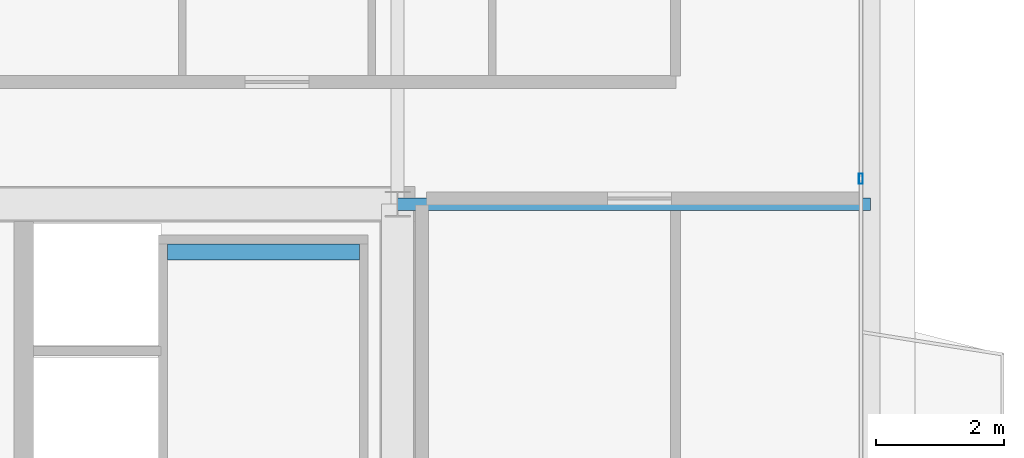
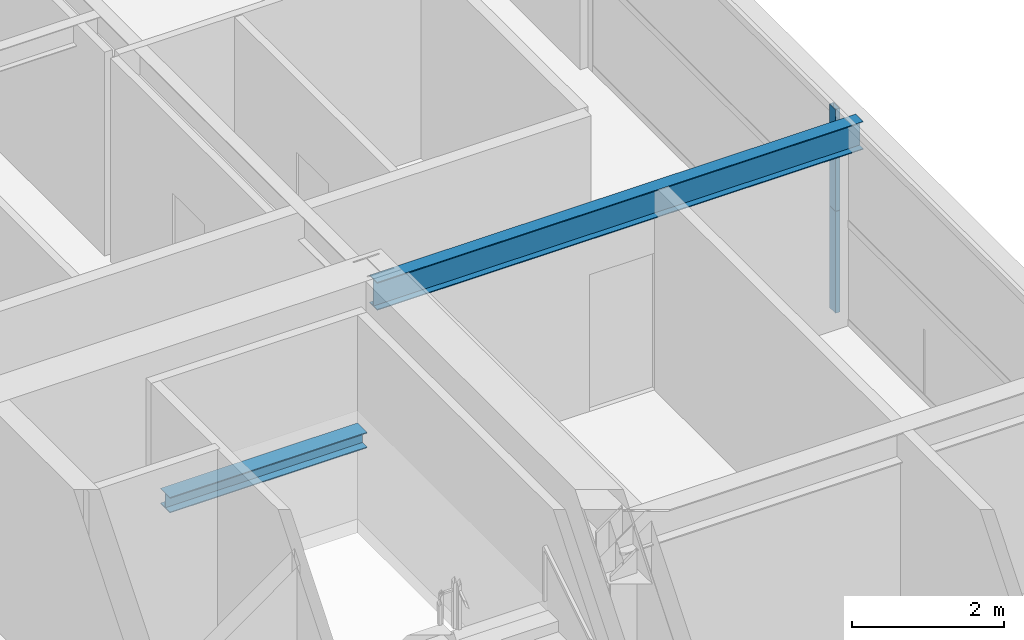
# One storey, part 18 of 35: 2 beams, 2 members, 1 element without a shape of its own.
"""IFC4 building model written with IfcOpenShell, lengths in metres."""

import ifcopenshell
import ifcopenshell.guid

model = None  # the IFC model being written
_history = None  # IfcOwnerHistory: only IFC2X3 demands one
_inside = {}  # id of a spatial element -> (the spatial element, [elements in it])
_under = {}  # id of a project, library or spatial element -> (it, [spatial elements below it])
_declared = {}  # id of a project -> (the project, [libraries it declares])
_typed = {}  # id of a type object -> (the type object, [elements of that type])
_made_of = {}  # id of a material, layer set ... -> (it, [elements and type objects made of it])


def new_model(schema):
    """Start an empty IFC model of exactly this schema.

    Asked for "IFC4X3", IfcOpenShell would pick the latest addendum, in which some entities
    have other attributes; the version numbers below select the first issue.
    IFC2X3 requires an IfcOwnerHistory on every rooted entity: one is made here for all.
    """
    global model, _history
    if schema == "IFC4X3":
        model = ifcopenshell.file(schema_version=(4, 3, 0, 0))
    else:
        model = ifcopenshell.file(schema=schema)
    _inside.clear()
    _under.clear()
    _declared.clear()
    _typed.clear()
    _made_of.clear()
    _history = None
    if model.schema == "IFC2X3":
        org = make("IfcOrganization", Name="unknown")
        user = make(
            "IfcPersonAndOrganization",
            ThePerson=make("IfcPerson", FamilyName="unknown"),
            TheOrganization=org,
        )
        app = make(
            "IfcApplication",
            ApplicationDeveloper=org,
            Version="unknown",
            ApplicationFullName="unknown",
            ApplicationIdentifier="unknown",
        )
        _history = make(
            "IfcOwnerHistory",
            OwningUser=user,
            OwningApplication=app,
            ChangeAction="ADDED",
            CreationDate=0,
        )
    return model


def make(cls, **values):
    """One entity of the class cls with the attributes given. An attribute that is None is left unset."""
    return model.create_entity(
        cls, **{name: value for name, value in values.items() if value is not None}
    )


def rooted(cls, **values):
    """An entity with a GlobalId (a new one), such as an element, a storey or a relation."""
    return make(cls, GlobalId=ifcopenshell.guid.new(), OwnerHistory=_history, **values)


def si_unit(unit_type, name, prefix=None):
    """IfcSIUnit, for example si_unit("LENGTHUNIT", "METRE", prefix="MILLI")."""
    return make("IfcSIUnit", UnitType=unit_type, Prefix=prefix, Name=name)


def assignment(units):
    """IfcUnitAssignment: the units of a project."""
    return None if units is None else make("IfcUnitAssignment", Units=units)


def point(xyz):
    """IfcCartesianPoint."""
    return None if xyz is None else make("IfcCartesianPoint", Coordinates=xyz)


def direction(xyz):
    """IfcDirection."""
    return None if xyz is None else make("IfcDirection", DirectionRatios=xyz)


def frame(location, z_axis=None, x_axis=None):
    """IfcAxis2Placement3D, a coordinate frame: its origin and axes. An axis left out is left unset."""
    return make(
        "IfcAxis2Placement3D",
        Location=point(location),
        Axis=direction(z_axis),
        RefDirection=direction(x_axis),
    )


def frame_2d(location, x_axis=None):
    """IfcAxis2Placement2D, a coordinate frame in the plane: its origin and x axis."""
    return make(
        "IfcAxis2Placement2D", Location=point(location), RefDirection=direction(x_axis)
    )


def origin():
    """The frame at (0, 0, 0) with its axes left unset."""
    return frame((0.0, 0.0, 0.0))


def origin_2d():
    """The frame at (0, 0) in the plane with its x axis left unset."""
    return frame_2d((0.0, 0.0))


def place(relative_to, where):
    """IfcLocalPlacement: puts the frame where relative to a parent placement (None: the world)."""
    return make(
        "IfcLocalPlacement", PlacementRelTo=relative_to, RelativePlacement=where
    )


def context(
    kind, dimensions, precision=None, world=None, true_north=None, identifier=None
):
    """IfcGeometricRepresentationContext, for example the 3D "Model" context."""
    return make(
        "IfcGeometricRepresentationContext",
        ContextIdentifier=identifier,
        ContextType=kind,
        CoordinateSpaceDimension=dimensions,
        Precision=precision,
        WorldCoordinateSystem=world,
        TrueNorth=true_north,
    )


def subcontext(parent, identifier, kind, view, scale=None):
    """IfcGeometricRepresentationSubContext, for example "Body" below "Model"."""
    return make(
        "IfcGeometricRepresentationSubContext",
        ContextIdentifier=identifier,
        ContextType=kind,
        ParentContext=parent,
        TargetScale=scale,
        TargetView=view,
    )


def project(units=None, contexts=None):
    """IfcProject with its units and contexts."""
    return rooted(
        "IfcProject",
        Name="project",
        RepresentationContexts=contexts,
        UnitsInContext=assignment(units),
    )


def spatial(cls, under=None, at=None, **own):
    """A site, building, storey or space (cls), placed at a placement, below another one or the project."""
    s = rooted(cls, ObjectPlacement=at, **own)
    if under is not None:
        _under.setdefault(under.id(), (under, []))[1].append(s)
    return s


def profile(cls, at=None, kind="AREA", **sizes):
    """A parametric profile (cls). Its sizes go by their IFC names, for example OverallWidth=200.0."""
    return make(cls, ProfileType=kind, Position=at, **sizes)


def hollow_rectangle(**sizes):
    """IfcRectangleHollowProfileDef."""
    return profile("IfcRectangleHollowProfileDef", **sizes)


def i_section(**sizes):
    """IfcIShapeProfileDef."""
    return profile("IfcIShapeProfileDef", **sizes)


def extrude(swept, where, along, depth):
    """IfcExtrudedAreaSolid: the profile swept, set in the frame where, extruded along a direction by depth."""
    return make(
        "IfcExtrudedAreaSolid",
        SweptArea=swept,
        Position=where,
        ExtrudedDirection=direction(along),
        Depth=depth,
    )


def shape(context_of_items, identifier, shape_type, items):
    """IfcShapeRepresentation: the items that make up one representation, for example the "Body"."""
    return make(
        "IfcShapeRepresentation",
        ContextOfItems=context_of_items,
        RepresentationIdentifier=identifier,
        RepresentationType=shape_type,
        Items=items,
    )


def source(mapping_origin, context_of_items, identifier, shape_type, items):
    """IfcRepresentationMap: a shape defined once, which mapped items show again and again."""
    return make(
        "IfcRepresentationMap",
        MappingOrigin=mapping_origin,
        MappedRepresentation=shape(context_of_items, identifier, shape_type, items),
    )


def transform(
    local_origin,
    x_axis=None,
    y_axis=None,
    z_axis=None,
    scale=None,
    scale2=None,
    scale3=None,
    uniform=True,
):
    """IfcCartesianTransformationOperator3D, or its non-uniform kind. x_axis, y_axis, z_axis: its Axis1, 2, 3."""
    if uniform:
        return make(
            "IfcCartesianTransformationOperator3D",
            Axis1=direction(x_axis),
            Axis2=direction(y_axis),
            LocalOrigin=point(local_origin),
            Scale=scale,
            Axis3=direction(z_axis),
        )
    return make(
        "IfcCartesianTransformationOperator3DnonUniform",
        Axis1=direction(x_axis),
        Axis2=direction(y_axis),
        LocalOrigin=point(local_origin),
        Scale=scale,
        Axis3=direction(z_axis),
        Scale2=scale2,
        Scale3=scale3,
    )


def mapped(mapping_source, mapping_target):
    """IfcMappedItem: shows the shape of a source again, moved by a transform."""
    return make(
        "IfcMappedItem", MappingSource=mapping_source, MappingTarget=mapping_target
    )


def material(Name=None, Category=None):
    """IfcMaterial."""
    return make("IfcMaterial", Name=Name, Category=Category)


def layer(
    of_material, thickness, ventilated=None, Name=None, Category=None, Priority=None
):
    """IfcMaterialLayer: one layer of a wall or slab, of a material (None: an air gap)."""
    return make(
        "IfcMaterialLayer",
        Material=of_material,
        LayerThickness=thickness,
        IsVentilated=ventilated,
        Name=Name,
        Category=Category,
        Priority=Priority,
    )


def layer_set(layers, Name=None):
    """IfcMaterialLayerSet."""
    return make("IfcMaterialLayerSet", MaterialLayers=layers, LayerSetName=Name)


def material_profile(
    of_material, cross_section, Name=None, Category=None, Priority=None
):
    """IfcMaterialProfile: a cross section and its material."""
    return make(
        "IfcMaterialProfile",
        Name=Name,
        Material=of_material,
        Profile=cross_section,
        Priority=Priority,
        Category=Category,
    )


def profile_set(profiles, Name=None, composite=None):
    """IfcMaterialProfileSet."""
    return make(
        "IfcMaterialProfileSet",
        Name=Name,
        MaterialProfiles=profiles,
        CompositeProfile=composite,
    )


def made_of(thing, what):
    """Note that an element or type object is made of a material, layer set ...; save() writes the relation."""
    if what is not None:
        _made_of.setdefault(what.id(), (what, []))[1].append(thing)
    return thing


def type_object(cls, material=None, **own):
    """A type object (cls), such as IfcWallType, which elements share."""
    return made_of(rooted(cls, **own), material)


def element(
    cls,
    number,
    at=None,
    inside=None,
    cuts=None,
    type_object=None,
    material=None,
    context=None,
    identifier="Body",
    shape_type=None,
    held_by="IfcProductDefinitionShape",
    body=None,
    shapes=None,
    **own,
):
    """One element of the class cls, such as IfcWall. Its Tag is "e" and its number.

    at: its placement. inside: the storey or other place that contains it. cuts: it is an
    opening in that element (IfcRelVoidsElement). A single representation is given by context,
    identifier, shape_type and body (its items); several are given by shapes. held_by: the class
    of the entity that holds the representations. save() writes the other relations.
    """
    e = rooted(cls, Tag="e%d" % number, ObjectPlacement=at, **own)
    if body is not None:
        shapes = [shape(context, identifier, shape_type, body)]
    if shapes is not None:
        e.Representation = make(held_by, Representations=shapes)
    if inside is not None:
        _inside.setdefault(inside.id(), (inside, []))[1].append(e)
    if cuts is not None:
        rooted(
            "IfcRelVoidsElement", RelatingBuildingElement=cuts, RelatedOpeningElement=e
        )
    if type_object is not None:
        _typed.setdefault(type_object.id(), (type_object, []))[1].append(e)
    return made_of(e, material)


def aggregate(whole, parts):
    """IfcRelAggregates: a whole, such as a stair, and the parts it consists of."""
    return rooted("IfcRelAggregates", RelatingObject=whole, RelatedObjects=parts)


def save(model, path):
    """Write the relations noted so far, then the file.

    IfcRelAggregates (storeys below a building ...), IfcRelContainedInSpatialStructure (elements
    in a storey), IfcRelDefinesByType, IfcRelAssociatesMaterial and IfcRelDeclares: one each for
    every whole, place, type object, material and project.
    """
    for whole, parts in _under.values():
        aggregate(whole, parts)
    for where, things in _inside.values():
        rooted(
            "IfcRelContainedInSpatialStructure",
            RelatedElements=things,
            RelatingStructure=where,
        )
    for kind, things in _typed.values():
        rooted("IfcRelDefinesByType", RelatedObjects=things, RelatingType=kind)
    for what, things in _made_of.values():
        rooted("IfcRelAssociatesMaterial", RelatedObjects=things, RelatingMaterial=what)
    for by, libraries in _declared.values():
        rooted("IfcRelDeclares", RelatingContext=by, RelatedDefinitions=libraries)
    model.write(path)


model = new_model("IFC4")

# Units and contexts
model_context = context("Model", 3, precision=1e-05, world=origin(), true_north=direction((0.0, 1.0)))
body_context = subcontext(model_context, "Body", "Model", "MODEL_VIEW")
ifc_project = project(units=[si_unit("LENGTHUNIT", "METRE"), si_unit("AREAUNIT", "SQUARE_METRE"), si_unit("VOLUMEUNIT", "CUBIC_METRE"), si_unit("PLANEANGLEUNIT", "RADIAN"), si_unit("MASSUNIT", "GRAM", prefix="KILO"), si_unit("THERMODYNAMICTEMPERATUREUNIT", "KELVIN"), si_unit("POWERUNIT", "WATT")], contexts=[model_context])

# Site, building, storey
site_placement = place(None, origin())
site = spatial("IfcSite", under=ifc_project, at=site_placement, CompositionType="ELEMENT")
building_placement = place(site_placement, origin())
building = spatial("IfcBuilding", under=site, at=building_placement, Name="Yuzanri Waterfront Tower", CompositionType="ELEMENT")
storey_placement = place(building_placement, frame((0.0, 0.0, 248.60009765625)))
storey = spatial("IfcBuildingStorey", under=building, at=storey_placement, Name="L66", CompositionType="ELEMENT", Elevation=248.60009765625)

# Beam
ifc_material_1 = material(Name="Steel Q355B", Category="steel")
ifc_material_profile_1 = material_profile(ifc_material_1, i_section(OverallWidth=0.199951171875, OverallDepth=0.449951171875, WebThickness=0.009033203125, FlangeThickness=0.013916015625, at=origin_2d()), Name="HN 450x200x9x14")
ifc_profile_set_1 = profile_set([ifc_material_profile_1], Name="Steel Q355B")
beam_type_1 = type_object("IfcBeamType", Name="Secondary Floor Beam Q355B HN 450x200", PredefinedType="BEAM", material=ifc_profile_set_1)
shared_shape_1 = source(origin(), body_context, "Body", "SweptSolid", [
    extrude(i_section(OverallWidth=0.199951171875, OverallDepth=0.449951171875, WebThickness=0.009033203125, FlangeThickness=0.013916015625, at=origin_2d()), origin(), (0.0, 0.0, 1.0), 7.400146484375),
])
beam_1_placement = place(storey_placement, frame((50.199951171875, 32.199951171875, 3.054931640625), z_axis=(1.0, 0.0, 0.0), x_axis=(0.0, 1.0, 0.0)))
element("IfcBeam", 1, at=beam_1_placement, inside=storey, type_object=beam_type_1, Name="L66 East-North Core Line Beam", PredefinedType="BEAM", context=body_context, shape_type="MappedRepresentation", body=[
    mapped(shared_shape_1, transform((0.0, 0.0, 0.0), scale=1.0)),
])

# Curtain wall, members
ifc_material_2 = material(Name="Anodized Architectural Bronze", Category="metal")
ifc_layer = layer(ifc_material_2, 0.159912109375)
ifc_layer_set = layer_set([ifc_layer], Name="Anodized Architectural Bronze")
curtain_wall_type = type_object("IfcCurtainWallType", Name="Anodized Bronze Mid-Rise Residential Acoustic Unitized Curtain Wall 7200", PredefinedType="NOTDEFINED", material=ifc_layer_set)
curtain_wall_placement = place(storey_placement, origin())
curtain_wall = element("IfcCurtainWall", 2, at=curtain_wall_placement, inside=storey, type_object=curtain_wall_type, Name="L66 Curtain Wall CW-L66-ER", PredefinedType="NOTDEFINED")
ifc_material_3 = material(Name="Anodized Architectural Bronze", Category="metal")
ifc_material_profile_2 = material_profile(ifc_material_3, hollow_rectangle(XDim=0.06494140625, YDim=0.159912109375, WallThickness=0.00341796875, at=origin_2d()), Name="CWM 65x160")
ifc_profile_set_2 = profile_set([ifc_material_profile_2], Name="Anodized Architectural Bronze")
member_type = type_object("IfcMemberType", Name="Anodized Bronze Upper-Zone Curtain-Wall Mullion 65x160", PredefinedType="MULLION", material=ifc_profile_set_2)
shared_shape_2 = source(origin(), body_context, "Body", "SweptSolid", [
    extrude(hollow_rectangle(XDim=0.06494140625, YDim=0.159912109375, WallThickness=0.00341796875, at=origin_2d()), origin(), (0.0, 0.0, 1.0), 1.637939453125),
])
member_1_placement = place(storey_placement, frame((57.449951171875, 32.60009765625, 0.0), z_axis=(0.0, 0.0, 1.0), x_axis=(1.0, 0.0, 0.0)))
member_1 = element("IfcMember", 3, at=member_1_placement, type_object=member_type, Name="CW-L66-ER Lower Mullion 01", PredefinedType="MULLION", context=body_context, shape_type="MappedRepresentation", body=[
    mapped(shared_shape_2, transform((0.0, 0.0, 0.0), scale=1.0)),
])
member_2_placement = place(storey_placement, frame((57.449951171875, 32.60009765625, 1.641845703125), z_axis=(0.0, 0.0, 1.0), x_axis=(1.0, 0.0, 0.0)))
member_2 = element("IfcMember", 4, at=member_2_placement, type_object=member_type, Name="CW-L66-ER Upper Mullion 01", PredefinedType="MULLION", context=body_context, shape_type="MappedRepresentation", body=[
    mapped(shared_shape_2, transform((0.0, 0.0, 0.0), scale=1.0)),
])
aggregate(curtain_wall, [member_1, member_2])

# Beam
ifc_material_4 = material(Name="Steel Q355B", Category="steel")
ifc_material_profile_3 = material_profile(ifc_material_4, i_section(OverallWidth=0.25, OverallDepth=0.25, WebThickness=0.009033203125, FlangeThickness=0.013916015625, at=origin_2d()), Name="HW 250x250x9x14")
ifc_profile_set_3 = profile_set([ifc_material_profile_3], Name="Steel Q355B")
beam_type_2 = type_object("IfcBeamType", Name="Stair Landing Support Beam Q355B HW 250x250", PredefinedType="BEAM", material=ifc_profile_set_3)
shared_shape_3 = source(origin(), body_context, "Body", "SweptSolid", [
    extrude(i_section(OverallWidth=0.25, OverallDepth=0.25, WebThickness=0.009033203125, FlangeThickness=0.013916015625, at=origin_2d()), origin(), (0.0, 0.0, 1.0), 3.0),
])
beam_2_placement = place(storey_placement, frame((46.60009765625, 31.449951171875, 1.4248046875), z_axis=(1.0, 0.0, 0.0), x_axis=(0.0, 1.0, 0.0)))
element("IfcBeam", 5, at=beam_2_placement, inside=storey, type_object=beam_type_2, Name="L66 Stair Landing Support Beam ST-02-L66-L1-2", PredefinedType="BEAM", context=body_context, shape_type="MappedRepresentation", body=[
    mapped(shared_shape_3, transform((0.0, 0.0, 0.0), scale=1.0)),
])

save(model, "model.ifc")
